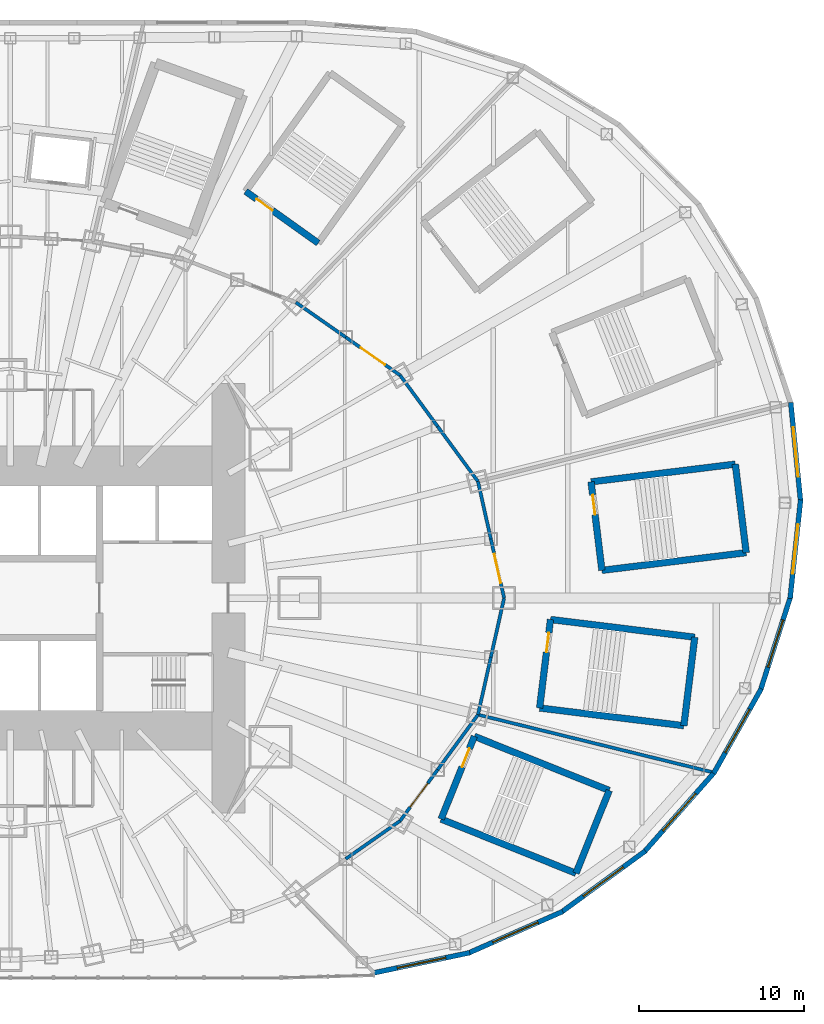
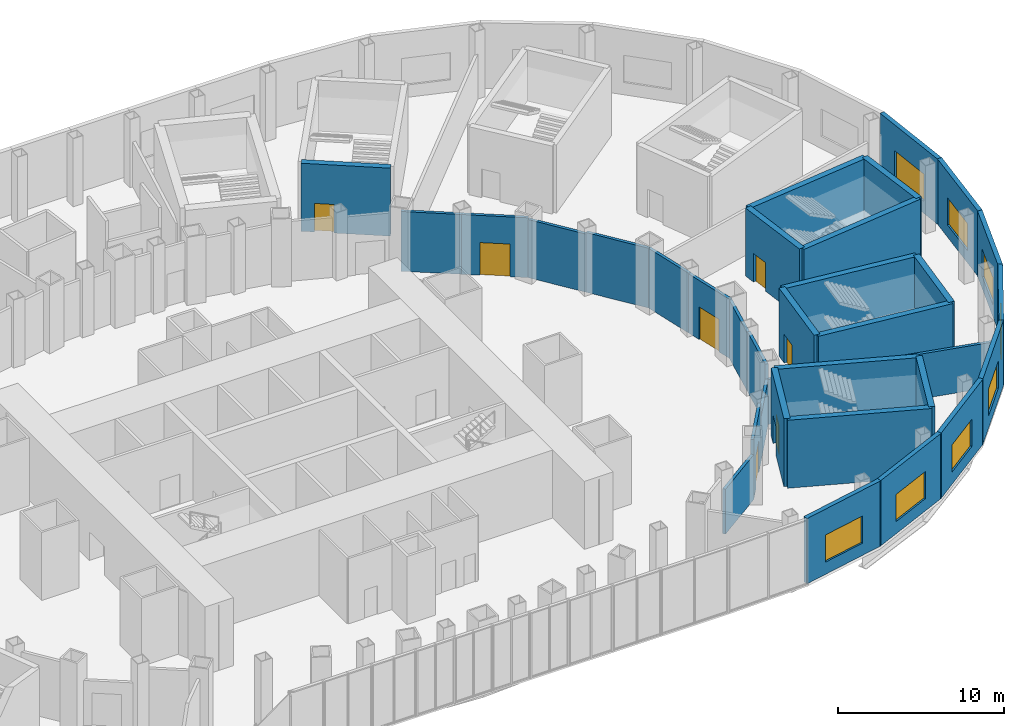
# One storey, part 17 of 73: 33 walls, 8 windows, 7 doors, 15 openings.
"""IFC4 building model written with IfcOpenShell, lengths in metres."""

from ifc_helpers import new_model, si_unit, direction, frame, frame_2d, origin, place, context, subcontext, project, spatial, rectangle, extrude, material, layer, layer_set, type_object, element, fill, save


model = new_model("IFC4")

# Units and contexts
model_context = context("Model", 3, precision=1e-05, world=origin(), true_north=direction((0.0, 1.0)))
body_context = subcontext(model_context, "Body", "Model", "MODEL_VIEW")
ifc_project = project(units=[si_unit("LENGTHUNIT", "METRE"), si_unit("AREAUNIT", "SQUARE_METRE"), si_unit("VOLUMEUNIT", "CUBIC_METRE"), si_unit("PLANEANGLEUNIT", "RADIAN"), si_unit("MASSUNIT", "GRAM", prefix="KILO")], contexts=[model_context])

# Site, building, storey
site_placement = place(None, origin())
site = spatial("IfcSite", under=ifc_project, at=site_placement, CompositionType="ELEMENT")
building_placement = place(site_placement, origin())
building = spatial("IfcBuilding", under=site, at=building_placement, Name="Lantaw Convention Tower", CompositionType="ELEMENT")
storey_placement = place(building_placement, frame((0.0, 0.0, 22.0)))
storey = spatial("IfcBuildingStorey", under=building, at=storey_placement, Name="L03", CompositionType="ELEMENT", Elevation=22.0)

# Wall, opening, window
ifc_material_1 = material(Name="Precast concrete panel, pale aluminium rainscreen", Category="concrete")
ifc_layer_1 = layer(ifc_material_1, 0.300048828125)
ifc_layer_set_1 = layer_set([ifc_layer_1], Name="Podium external wall 300")
wall_type_1 = type_object("IfcWallType", Name="Podium external wall 300", PredefinedType="SOLIDWALL", material=ifc_layer_set_1)
wall_1_placement = place(storey_placement, frame((47.21923828125, -0.02392578125, 0.0), z_axis=(0.0, 0.0, 1.0), x_axis=(0.105835648981, 0.99438363593, 0.0)))
wall_1 = element("IfcWall", 1, at=wall_1_placement, inside=storey, type_object=wall_type_1, Name="Podium facade wall", PredefinedType="SOLIDWALL", context=body_context, shape_type="SweptSolid", body=[
    extrude(rectangle(XDim=6.0068359375, YDim=0.300048828125, at=frame_2d((3.00341796875, 0.0))), origin(), (0.0, 0.0, 1.0), 4.800048828125),
])
opening_1_placement = place(wall_1_placement, frame((1.50341796875, 0.0, 0.89990234375)))
opening_1 = element("IfcOpeningElement", 2, at=opening_1_placement, cuts=wall_1, Name="Opening W3", PredefinedType="OPENING", context=body_context, shape_type="SweptSolid", body=[
    extrude(rectangle(XDim=3.0, YDim=2.0, at=frame_2d((1.5, 1.0))), frame((0.0, 0.159912109375, 0.0), z_axis=(0.0, -1.0, 0.0), x_axis=(1.0, 0.0, 0.0)), (0.0, 0.0, 1.0), 0.320068359375),
])
ifc_material_2 = material(Name="Aluminium frame, clear insulating glass", Category="aluminium")
window_type = type_object("IfcWindowType", Name="Podium window 3000x2000", PartitioningType="DOUBLE_PANEL_VERTICAL", PredefinedType="WINDOW", material=ifc_material_2)
window_1_placement = place(opening_1_placement, origin())
window_1 = element("IfcWindow", 3, at=window_1_placement, inside=storey, type_object=window_type, Name="Podium window", OverallHeight=2.0, OverallWidth=3.0, PartitioningType="SINGLE_PANEL", PredefinedType="WINDOW", context=body_context, shape_type="SweptSolid", body=[
    extrude(rectangle(XDim=3.0, YDim=2.0, at=frame_2d((1.5, 1.0))), frame((0.0, 0.030029296875, 0.0), z_axis=(0.0, -1.0, 0.0), x_axis=(1.0, 0.0, 0.0)), (0.0, 0.0, 1.0), 0.06005859375),
])
fill(opening_1, window_1)

wall_2_placement = place(storey_placement, frame((47.8544921875, 5.8388671875, 0.0), z_axis=(0.0, 0.0, 1.0), x_axis=(-0.099051198898, 0.9950823383, 0.0)))
wall_2 = element("IfcWall", 4, at=wall_2_placement, inside=storey, type_object=wall_type_1, Name="Podium facade wall", PredefinedType="SOLIDWALL", context=body_context, shape_type="SweptSolid", body=[
    extrude(rectangle(XDim=6.036376953125, YDim=0.300048828125, at=frame_2d((3.01806640625, 0.0))), origin(), (0.0, 0.0, 1.0), 4.800048828125),
])
opening_2_placement = place(wall_2_placement, frame((1.51806640625, 0.0, 0.89990234375)))
opening_2 = element("IfcOpeningElement", 5, at=opening_2_placement, cuts=wall_2, Name="Opening W3", PredefinedType="OPENING", context=body_context, shape_type="SweptSolid", body=[
    extrude(rectangle(XDim=3.0, YDim=2.0, at=frame_2d((1.5, 1.0))), frame((0.0, 0.159912109375, 0.0), z_axis=(0.0, -1.0, 0.0), x_axis=(1.0, 0.0, 0.0)), (0.0, 0.0, 1.0), 0.320068359375),
])
window_2_placement = place(opening_2_placement, origin())
window_2 = element("IfcWindow", 6, at=window_2_placement, inside=storey, type_object=window_type, Name="Podium window", OverallHeight=2.0, OverallWidth=3.0, PartitioningType="SINGLE_PANEL", PredefinedType="WINDOW", context=body_context, shape_type="SweptSolid", body=[
    extrude(rectangle(XDim=3.0, YDim=2.0, at=frame_2d((1.5, 1.0))), frame((0.0, 0.030029296875, 0.0), z_axis=(0.0, -1.0, 0.0), x_axis=(1.0, 0.0, 0.0)), (0.0, 0.0, 1.0), 0.06005859375),
])
fill(opening_2, window_2)

wall_3_placement = place(storey_placement, frame((21.985107421875, -22.699951171875, 0.0), z_axis=(0.0, 0.0, 1.0), x_axis=(0.978625319268, 0.205651366364, 0.0)))
wall_3 = element("IfcWall", 7, at=wall_3_placement, inside=storey, type_object=wall_type_1, Name="Podium facade wall", PredefinedType="SOLIDWALL", context=body_context, shape_type="SweptSolid", body=[
    extrude(rectangle(XDim=5.9619140625, YDim=0.300048828125, at=frame_2d((2.98095703125, 0.0))), origin(), (0.0, 0.0, 1.0), 4.800048828125),
])
opening_3_placement = place(wall_3_placement, frame((1.48095703125, 0.0, 0.89990234375)))
opening_3 = element("IfcOpeningElement", 8, at=opening_3_placement, cuts=wall_3, Name="Opening W3", PredefinedType="OPENING", context=body_context, shape_type="SweptSolid", body=[
    extrude(rectangle(XDim=3.0, YDim=2.0, at=frame_2d((1.5, 1.0))), frame((0.0, 0.159912109375, 0.0), z_axis=(0.0, -1.0, 0.0), x_axis=(1.0, 0.0, 0.0)), (0.0, 0.0, 1.0), 0.320068359375),
])
window_3_placement = place(opening_3_placement, origin())
window_3 = element("IfcWindow", 9, at=window_3_placement, inside=storey, type_object=window_type, Name="Podium window", OverallHeight=2.0, OverallWidth=3.0, PartitioningType="SINGLE_PANEL", PredefinedType="WINDOW", context=body_context, shape_type="SweptSolid", body=[
    extrude(rectangle(XDim=3.0, YDim=2.0, at=frame_2d((1.5, 1.0))), frame((0.0, 0.030029296875, 0.0), z_axis=(0.0, -1.0, 0.0), x_axis=(1.0, 0.0, 0.0)), (0.0, 0.0, 1.0), 0.06005859375),
])
fill(opening_3, window_3)

wall_4_placement = place(storey_placement, frame((27.714111328125, -21.5078125, 0.0), z_axis=(0.0, 0.0, 1.0), x_axis=(0.914855209389, 0.403782052416, 0.0)))
wall_4 = element("IfcWall", 10, at=wall_4_placement, inside=storey, type_object=wall_type_1, Name="Podium facade wall", PredefinedType="SOLIDWALL", context=body_context, shape_type="SweptSolid", body=[
    extrude(rectangle(XDim=6.271240234375, YDim=0.300048828125, at=frame_2d((3.1357421875, 0.0))), origin(), (0.0, 0.0, 1.0), 4.800048828125),
])
opening_4_placement = place(wall_4_placement, frame((1.6357421875, 0.0, 0.89990234375)))
opening_4 = element("IfcOpeningElement", 11, at=opening_4_placement, cuts=wall_4, Name="Opening W3", PredefinedType="OPENING", context=body_context, shape_type="SweptSolid", body=[
    extrude(rectangle(XDim=3.0, YDim=2.0, at=frame_2d((1.5, 1.0))), frame((0.0, 0.159912109375, 0.0), z_axis=(0.0, -1.0, 0.0), x_axis=(1.0, 0.0, 0.0)), (0.0, 0.0, 1.0), 0.320068359375),
])
window_4_placement = place(opening_4_placement, origin())
window_4 = element("IfcWindow", 12, at=window_4_placement, inside=storey, type_object=window_type, Name="Podium window", OverallHeight=2.0, OverallWidth=3.0, PartitioningType="SINGLE_PANEL", PredefinedType="WINDOW", context=body_context, shape_type="SweptSolid", body=[
    extrude(rectangle(XDim=3.0, YDim=2.0, at=frame_2d((1.5, 1.0))), frame((0.0, 0.030029296875, 0.0), z_axis=(0.0, -1.0, 0.0), x_axis=(1.0, 0.0, 0.0)), (0.0, 0.0, 1.0), 0.06005859375),
])
fill(opening_4, window_4)

wall_5_placement = place(storey_placement, frame((33.354736328125, -19.03125, 0.0), z_axis=(0.0, 0.0, 1.0), x_axis=(0.807898511933, 0.589321639189, 0.0)))
wall_5 = element("IfcWall", 13, at=wall_5_placement, inside=storey, type_object=wall_type_1, Name="Podium facade wall", PredefinedType="SOLIDWALL", context=body_context, shape_type="SweptSolid", body=[
    extrude(rectangle(XDim=6.30859375, YDim=0.300048828125, at=frame_2d((3.154296875, 0.0))), origin(), (0.0, 0.0, 1.0), 4.800048828125),
])
opening_5_placement = place(wall_5_placement, frame((1.654296875, 0.0, 0.89990234375)))
opening_5 = element("IfcOpeningElement", 14, at=opening_5_placement, cuts=wall_5, Name="Opening W3", PredefinedType="OPENING", context=body_context, shape_type="SweptSolid", body=[
    extrude(rectangle(XDim=3.0, YDim=2.0, at=frame_2d((1.5, 1.0))), frame((0.0, 0.159912109375, 0.0), z_axis=(0.0, -1.0, 0.0), x_axis=(1.0, 0.0, 0.0)), (0.0, 0.0, 1.0), 0.320068359375),
])
window_5_placement = place(opening_5_placement, origin())
window_5 = element("IfcWindow", 15, at=window_5_placement, inside=storey, type_object=window_type, Name="Podium window", OverallHeight=2.0, OverallWidth=3.0, PartitioningType="SINGLE_PANEL", PredefinedType="WINDOW", context=body_context, shape_type="SweptSolid", body=[
    extrude(rectangle(XDim=3.0, YDim=2.0, at=frame_2d((1.5, 1.0))), frame((0.0, 0.030029296875, 0.0), z_axis=(0.0, -1.0, 0.0), x_axis=(1.0, 0.0, 0.0)), (0.0, 0.0, 1.0), 0.06005859375),
])
fill(opening_5, window_5)

wall_6_placement = place(storey_placement, frame((38.368408203125, -15.38916015625, 0.0), z_axis=(0.0, 0.0, 1.0), x_axis=(0.661196672464, 0.75021261008, 0.0)))
wall_6 = element("IfcWall", 16, at=wall_6_placement, inside=storey, type_object=wall_type_1, Name="Podium facade wall", PredefinedType="SOLIDWALL", context=body_context, shape_type="SweptSolid", body=[
    extrude(rectangle(XDim=6.48095703125, YDim=0.300048828125, at=frame_2d((3.240478515625, 0.0))), origin(), (0.0, 0.0, 1.0), 4.800048828125),
])
opening_6_placement = place(wall_6_placement, frame((1.740478515625, 0.0, 0.89990234375)))
opening_6 = element("IfcOpeningElement", 17, at=opening_6_placement, cuts=wall_6, Name="Opening W3", PredefinedType="OPENING", context=body_context, shape_type="SweptSolid", body=[
    extrude(rectangle(XDim=3.0, YDim=2.0, at=frame_2d((1.5, 1.0))), frame((0.0, 0.159912109375, 0.0), z_axis=(0.0, -1.0, 0.0), x_axis=(1.0, 0.0, 0.0)), (0.0, 0.0, 1.0), 0.320068359375),
])
window_6_placement = place(opening_6_placement, origin())
window_6 = element("IfcWindow", 18, at=window_6_placement, inside=storey, type_object=window_type, Name="Podium window", OverallHeight=2.0, OverallWidth=3.0, PartitioningType="SINGLE_PANEL", PredefinedType="WINDOW", context=body_context, shape_type="SweptSolid", body=[
    extrude(rectangle(XDim=3.0, YDim=2.0, at=frame_2d((1.5, 1.0))), frame((0.0, 0.030029296875, 0.0), z_axis=(0.0, -1.0, 0.0), x_axis=(1.0, 0.0, 0.0)), (0.0, 0.0, 1.0), 0.06005859375),
])
fill(opening_6, window_6)

wall_7_placement = place(storey_placement, frame((42.58935546875, -10.61767578125, 0.0), z_axis=(0.0, 0.0, 1.0), x_axis=(0.489563544979, 0.871967622924, 0.0)))
wall_7 = element("IfcWall", 19, at=wall_7_placement, inside=storey, type_object=wall_type_1, Name="Podium facade wall", PredefinedType="SOLIDWALL", context=body_context, shape_type="SweptSolid", body=[
    extrude(rectangle(XDim=5.882568359375, YDim=0.300048828125, at=frame_2d((2.94140625, 0.0))), origin(), (0.0, 0.0, 1.0), 4.800048828125),
])
opening_7_placement = place(wall_7_placement, frame((1.44140625, 0.0, 0.89990234375)))
opening_7 = element("IfcOpeningElement", 20, at=opening_7_placement, cuts=wall_7, Name="Opening W3", PredefinedType="OPENING", context=body_context, shape_type="SweptSolid", body=[
    extrude(rectangle(XDim=3.0, YDim=2.0, at=frame_2d((1.5, 1.0))), frame((0.0, 0.159912109375, 0.0), z_axis=(0.0, -1.0, 0.0), x_axis=(1.0, 0.0, 0.0)), (0.0, 0.0, 1.0), 0.320068359375),
])
window_7_placement = place(opening_7_placement, origin())
window_7 = element("IfcWindow", 21, at=window_7_placement, inside=storey, type_object=window_type, Name="Podium window", OverallHeight=2.0, OverallWidth=3.0, PartitioningType="SINGLE_PANEL", PredefinedType="WINDOW", context=body_context, shape_type="SweptSolid", body=[
    extrude(rectangle(XDim=3.0, YDim=2.0, at=frame_2d((1.5, 1.0))), frame((0.0, 0.030029296875, 0.0), z_axis=(0.0, -1.0, 0.0), x_axis=(1.0, 0.0, 0.0)), (0.0, 0.0, 1.0), 0.06005859375),
])
fill(opening_7, window_7)

wall_8_placement = place(storey_placement, frame((45.42529296875, -5.5888671875, 0.0), z_axis=(0.0, 0.0, 1.0), x_axis=(0.304991367091, 0.95235511549, 0.0)))
wall_8 = element("IfcWall", 22, at=wall_8_placement, inside=storey, type_object=wall_type_1, Name="Podium facade wall", PredefinedType="SOLIDWALL", context=body_context, shape_type="SweptSolid", body=[
    extrude(rectangle(XDim=5.956298828125, YDim=0.300048828125, at=frame_2d((2.97802734375, 0.0))), origin(), (0.0, 0.0, 1.0), 4.800048828125),
])
opening_8_placement = place(wall_8_placement, frame((1.478271484375, 0.0, 0.89990234375)))
opening_8 = element("IfcOpeningElement", 23, at=opening_8_placement, cuts=wall_8, Name="Opening W3", PredefinedType="OPENING", context=body_context, shape_type="SweptSolid", body=[
    extrude(rectangle(XDim=3.0, YDim=2.0, at=frame_2d((1.5, 1.0))), frame((0.0, 0.159912109375, 0.0), z_axis=(0.0, -1.0, 0.0), x_axis=(1.0, 0.0, 0.0)), (0.0, 0.0, 1.0), 0.320068359375),
])
window_8_placement = place(opening_8_placement, origin())
window_8 = element("IfcWindow", 24, at=window_8_placement, inside=storey, type_object=window_type, Name="Podium window", OverallHeight=2.0, OverallWidth=3.0, PartitioningType="SINGLE_PANEL", PredefinedType="WINDOW", context=body_context, shape_type="SweptSolid", body=[
    extrude(rectangle(XDim=3.0, YDim=2.0, at=frame_2d((1.5, 1.0))), frame((0.0, 0.030029296875, 0.0), z_axis=(0.0, -1.0, 0.0), x_axis=(1.0, 0.0, 0.0)), (0.0, 0.0, 1.0), 0.06005859375),
])
fill(opening_8, window_8)

# Wall, opening, door
ifc_material_3 = material(Name="Concrete blockwork", Category="masonry")
ifc_layer_2 = layer(ifc_material_3, 0.199951171875)
ifc_layer_set_2 = layer_set([ifc_layer_2], Name="Podium partition 200")
wall_type_2 = type_object("IfcWallType", Name="Podium partition 200", PredefinedType="SOLIDWALL", material=ifc_layer_set_2)
wall_9_placement = place(storey_placement, frame((29.89990234375, 0.0, 0.0), z_axis=(0.0, 0.0, 1.0), x_axis=(-0.218631550323, 0.975807483679, 0.0)))
wall_9 = element("IfcWall", 25, at=wall_9_placement, inside=storey, type_object=wall_type_2, Name="Podium partition 200", PredefinedType="SOLIDWALL", context=body_context, shape_type="SweptSolid", body=[
    extrude(rectangle(XDim=3.66162109375, YDim=0.199951171875, at=frame_2d((1.830810546875, 0.0))), origin(), (0.0, 0.0, 1.0), 4.350341796875),
])
opening_9_placement = place(wall_9_placement, frame((0.930908203125, 0.0, 0.0)))
opening_9 = element("IfcOpeningElement", 26, at=opening_9_placement, cuts=wall_9, Name="Opening L03.12", PredefinedType="OPENING", context=body_context, shape_type="SweptSolid", body=[
    extrude(rectangle(XDim=1.800048828125, YDim=2.39990234375, at=frame_2d((0.89990234375, 1.199951171875))), frame((0.0, 0.10986328125, 0.0), z_axis=(0.0, -1.0, 0.0), x_axis=(1.0, 0.0, 0.0)), (0.0, 0.0, 1.0), 0.219970703125),
])
ifc_material_4 = material(Name="Timber", Category="wood")
door_type_1 = type_object("IfcDoorType", Name="Hall double door 1800", OperationType="DOUBLE_DOOR_DOUBLE_SWING", PredefinedType="DOOR", material=ifc_material_4)
door_1_placement = place(opening_9_placement, origin())
door_1 = element("IfcDoor", 27, at=door_1_placement, inside=storey, type_object=door_type_1, Name="Meeting room door", OperationType="DOUBLE_DOOR_DOUBLE_SWING", OverallHeight=2.39990234375, OverallWidth=1.800048828125, PredefinedType="DOOR", context=body_context, shape_type="SweptSolid", body=[
    extrude(rectangle(XDim=1.800048828125, YDim=2.39990234375, at=frame_2d((0.89990234375, 1.199951171875))), frame((0.0, 0.02490234375, 0.0), z_axis=(0.0, -1.0, 0.0), x_axis=(1.0, 0.0, 0.0)), (0.0, 0.0, 1.0), 0.050048828125),
])
fill(opening_9, door_1)

# Walls
wall_10_placement = place(storey_placement, frame((29.099365234375, 3.572998046875, 0.0), z_axis=(0.0, 0.0, 1.0), x_axis=(-0.218673326171, 0.97579812278, 0.0)))
element("IfcWall", 28, at=wall_10_placement, inside=storey, type_object=wall_type_2, Name="Podium partition 200", PredefinedType="SOLIDWALL", context=body_context, shape_type="SweptSolid", body=[
    extrude(rectangle(XDim=3.57373046875, YDim=0.199951171875, at=frame_2d((1.786865234375, 0.0))), origin(), (0.0, 0.0, 1.0), 4.3935546875),
])
wall_11_placement = place(storey_placement, frame((28.31787109375, 7.060302734375, 0.0), z_axis=(0.0, 0.0, 1.0), x_axis=(-0.591255937291, 0.806483984105, 0.0)))
element("IfcWall", 29, at=wall_11_placement, inside=storey, type_object=wall_type_2, Name="Podium partition 200", PredefinedType="SOLIDWALL", context=body_context, shape_type="SweptSolid", body=[
    extrude(rectangle(XDim=4.126708984375, YDim=0.199951171875, at=frame_2d((2.0634765625, 0.0))), origin(), (0.0, 0.0, 1.0), 4.396240234375),
])
wall_12_placement = place(storey_placement, frame((25.8779296875, 10.388427734375, 0.0), z_axis=(0.0, 0.0, 1.0), x_axis=(-0.591286566758, 0.806461527893, 0.0)))
element("IfcWall", 30, at=wall_12_placement, inside=storey, type_object=wall_type_2, Name="Podium partition 200", PredefinedType="SOLIDWALL", context=body_context, shape_type="SweptSolid", body=[
    extrude(rectangle(XDim=3.843994140625, YDim=0.199951171875, at=frame_2d((1.921875, 0.0))), origin(), (0.0, 0.0, 1.0), 4.274169921875),
])

# Wall, opening, door
wall_13_placement = place(storey_placement, frame((23.60498046875, 13.488525390625, 0.0), z_axis=(0.0, 0.0, 1.0), x_axis=(-0.819442856133, 0.573160889744, 0.0)))
wall_13 = element("IfcWall", 31, at=wall_13_placement, inside=storey, type_object=wall_type_2, Name="Podium partition 200", PredefinedType="SOLIDWALL", context=body_context, shape_type="SweptSolid", body=[
    extrude(rectangle(XDim=4.022705078125, YDim=0.199951171875, at=frame_2d((2.01123046875, 0.0))), origin(), (0.0, 0.0, 1.0), 4.396240234375),
])
opening_10_placement = place(wall_13_placement, frame((1.111328125, 0.0, 0.0)))
opening_10 = element("IfcOpeningElement", 32, at=opening_10_placement, cuts=wall_13, Name="Opening L03.13", PredefinedType="OPENING", context=body_context, shape_type="SweptSolid", body=[
    extrude(rectangle(XDim=1.800048828125, YDim=2.39990234375, at=frame_2d((0.89990234375, 1.199951171875))), frame((0.0, 0.10986328125, 0.0), z_axis=(0.0, -1.0, 0.0), x_axis=(1.0, 0.0, 0.0)), (0.0, 0.0, 1.0), 0.219970703125),
])
door_2_placement = place(opening_10_placement, origin())
door_2 = element("IfcDoor", 33, at=door_2_placement, inside=storey, type_object=door_type_1, Name="Meeting room door", OperationType="DOUBLE_DOOR_DOUBLE_SWING", OverallHeight=2.39990234375, OverallWidth=1.800048828125, PredefinedType="DOOR", context=body_context, shape_type="SweptSolid", body=[
    extrude(rectangle(XDim=1.800048828125, YDim=2.39990234375, at=frame_2d((0.89990234375, 1.199951171875))), frame((0.0, 0.02490234375, 0.0), z_axis=(0.0, -1.0, 0.0), x_axis=(1.0, 0.0, 0.0)), (0.0, 0.0, 1.0), 0.050048828125),
])
fill(opening_10, door_2)

# Walls
wall_14_placement = place(storey_placement, frame((20.30859375, 15.794189453125, 0.0), z_axis=(0.0, 0.0, 1.0), x_axis=(-0.819409395821, 0.573208724672, 0.0)))
element("IfcWall", 34, at=wall_14_placement, inside=storey, type_object=wall_type_2, Name="Podium partition 200", PredefinedType="SOLIDWALL", context=body_context, shape_type="SweptSolid", body=[
    extrude(rectangle(XDim=3.682861328125, YDim=0.199951171875, at=frame_2d((1.84130859375, 0.0))), origin(), (0.0, 0.0, 1.0), 4.396240234375),
])
wall_15_placement = place(storey_placement, frame((20.308837890625, -15.794189453125, 0.0), z_axis=(0.0, 0.0, 1.0), x_axis=(0.81942291701, 0.57318939547, 0.0)))
element("IfcWall", 35, at=wall_15_placement, inside=storey, type_object=wall_type_2, Name="Podium partition 200", PredefinedType="SOLIDWALL", context=body_context, shape_type="SweptSolid", body=[
    extrude(rectangle(XDim=4.0224609375, YDim=0.199951171875, at=frame_2d((2.01123046875, 0.0))), origin(), (0.0, 0.0, 1.0), 3.300048828125),
])

# Wall, opening, door
wall_16_placement = place(storey_placement, frame((23.60498046875, -13.488525390625, 0.0), z_axis=(0.0, 0.0, 1.0), x_axis=(0.591286566758, 0.806461527893, 0.0)))
wall_16 = element("IfcWall", 36, at=wall_16_placement, inside=storey, type_object=wall_type_2, Name="Podium partition 200", PredefinedType="SOLIDWALL", context=body_context, shape_type="SweptSolid", body=[
    extrude(rectangle(XDim=3.843994140625, YDim=0.199951171875, at=frame_2d((1.921875, 0.0))), origin(), (0.0, 0.0, 1.0), 4.396240234375),
])
opening_11_placement = place(wall_16_placement, frame((1.022216796875, 0.0, 0.0)))
opening_11 = element("IfcOpeningElement", 37, at=opening_11_placement, cuts=wall_16, Name="Opening L03.11", PredefinedType="OPENING", context=body_context, shape_type="SweptSolid", body=[
    extrude(rectangle(XDim=1.800048828125, YDim=2.39990234375, at=frame_2d((0.89990234375, 1.199951171875))), frame((0.0, 0.10986328125, 0.0), z_axis=(0.0, -1.0, 0.0), x_axis=(1.0, 0.0, 0.0)), (0.0, 0.0, 1.0), 0.219970703125),
])
door_3_placement = place(opening_11_placement, origin())
door_3 = element("IfcDoor", 38, at=door_3_placement, inside=storey, type_object=door_type_1, Name="Meeting room door", OperationType="DOUBLE_DOOR_DOUBLE_SWING", OverallHeight=2.39990234375, OverallWidth=1.800048828125, PredefinedType="DOOR", context=body_context, shape_type="SweptSolid", body=[
    extrude(rectangle(XDim=1.800048828125, YDim=2.39990234375, at=frame_2d((0.89990234375, 1.199951171875))), frame((0.0, 0.02490234375, 0.0), z_axis=(0.0, -1.0, 0.0), x_axis=(1.0, 0.0, 0.0)), (0.0, 0.0, 1.0), 0.050048828125),
])
fill(opening_11, door_3)

# Walls
wall_17_placement = place(storey_placement, frame((25.8779296875, -10.388427734375, 0.0), z_axis=(0.0, 0.0, 1.0), x_axis=(0.591255937291, 0.806483984105, 0.0)))
element("IfcWall", 39, at=wall_17_placement, inside=storey, type_object=wall_type_2, Name="Podium partition 200", PredefinedType="SOLIDWALL", context=body_context, shape_type="SweptSolid", body=[
    extrude(rectangle(XDim=4.126708984375, YDim=0.199951171875, at=frame_2d((2.0634765625, 0.0))), origin(), (0.0, 0.0, 1.0), 3.300048828125),
])
wall_18_placement = place(storey_placement, frame((28.31787109375, -7.060302734375, 0.0), z_axis=(0.0, 0.0, 1.0), x_axis=(0.218673326171, 0.97579812278, 0.0)))
element("IfcWall", 40, at=wall_18_placement, inside=storey, type_object=wall_type_2, Name="Podium partition 200", PredefinedType="SOLIDWALL", context=body_context, shape_type="SweptSolid", body=[
    extrude(rectangle(XDim=3.57373046875, YDim=0.199951171875, at=frame_2d((1.786865234375, 0.0))), origin(), (0.0, 0.0, 1.0), 4.396240234375),
])
wall_19_placement = place(storey_placement, frame((29.099365234375, -3.572998046875, 0.0), z_axis=(0.0, 0.0, 1.0), x_axis=(0.218631550323, 0.975807483679, 0.0)))
element("IfcWall", 41, at=wall_19_placement, inside=storey, type_object=wall_type_2, Name="Podium partition 200", PredefinedType="SOLIDWALL", context=body_context, shape_type="SweptSolid", body=[
    extrude(rectangle(XDim=3.66162109375, YDim=0.199951171875, at=frame_2d((1.830810546875, 0.0))), origin(), (0.0, 0.0, 1.0), 4.271728515625),
])
wall_20_placement = place(storey_placement, frame((28.31787109375, -7.060302734375, 0.0), z_axis=(0.0, 0.0, 1.0), x_axis=(0.971190644534, -0.238303864783, 0.0)))
element("IfcWall", 42, at=wall_20_placement, inside=storey, type_object=wall_type_2, Name="Podium partition 200", PredefinedType="SOLIDWALL", context=body_context, shape_type="SweptSolid", body=[
    extrude(rectangle(XDim=14.722900390625, YDim=0.199951171875, at=frame_2d((7.361328125, 0.0))), origin(), (0.0, 0.0, 1.0), 3.300048828125),
])
ifc_material_5 = material(Name="Concrete C40/50, stair core", Category="concrete")
ifc_layer_3 = layer(ifc_material_5, 0.39990234375)
ifc_layer_set_3 = layer_set([ifc_layer_3], Name="Stair enclosure wall 400 EI 120")
wall_type_3 = type_object("IfcWallType", Name="Stair enclosure wall 400 EI 120", PredefinedType="SHEAR", material=ifc_layer_set_3)
wall_21_placement = place(storey_placement, frame((35.82275390625, 1.67822265625, 0.0), z_axis=(0.0, 0.0, 1.0), x_axis=(0.992545280606, 0.121876437212, 0.0)))
element("IfcWall", 43, at=wall_21_placement, inside=storey, type_object=wall_type_3, Name="Stair enclosure wall", PredefinedType="SHEAR", context=body_context, shape_type="SweptSolid", body=[
    extrude(rectangle(XDim=8.800048828125, YDim=0.39990234375, at=frame_2d((4.39990234375, 0.0))), origin(), (0.0, 0.0, 1.0), 5.0),
])
wall_22_placement = place(storey_placement, frame((44.55712890625, 2.750732421875, 0.0), z_axis=(0.0, 0.0, 1.0), x_axis=(-0.12184754212, 0.99254882826, 0.0)))
element("IfcWall", 44, at=wall_22_placement, inside=storey, type_object=wall_type_3, Name="Stair enclosure wall", PredefinedType="SHEAR", context=body_context, shape_type="SweptSolid", body=[
    extrude(rectangle(XDim=5.39990234375, YDim=0.39990234375, at=frame_2d((2.699951171875, 0.0))), origin(), (0.0, 0.0, 1.0), 5.0),
])
wall_23_placement = place(storey_placement, frame((43.899169921875, 8.1103515625, 0.0), z_axis=(0.0, 0.0, 1.0), x_axis=(-0.992545280606, -0.121876437212, 0.0)))
element("IfcWall", 45, at=wall_23_placement, inside=storey, type_object=wall_type_3, Name="Stair enclosure wall", PredefinedType="SHEAR", context=body_context, shape_type="SweptSolid", body=[
    extrude(rectangle(XDim=8.800048828125, YDim=0.39990234375, at=frame_2d((4.39990234375, 0.0))), origin(), (0.0, 0.0, 1.0), 5.0),
])

# Wall, opening, door
wall_24_placement = place(storey_placement, frame((35.164794921875, 7.037841796875, 0.0), z_axis=(0.0, 0.0, 1.0), x_axis=(0.12184754212, -0.99254882826, 0.0)))
wall_24 = element("IfcWall", 46, at=wall_24_placement, inside=storey, type_object=wall_type_3, Name="Stair enclosure wall", PredefinedType="SHEAR", context=body_context, shape_type="SweptSolid", body=[
    extrude(rectangle(XDim=5.39990234375, YDim=0.39990234375, at=frame_2d((2.699951171875, 0.0))), origin(), (0.0, 0.0, 1.0), 5.0),
])
opening_12_placement = place(wall_24_placement, frame((0.800048828125, 0.0, 0.0)))
opening_12 = element("IfcOpeningElement", 47, at=opening_12_placement, cuts=wall_24, Name="Opening L03.P1", PredefinedType="OPENING", context=body_context, shape_type="SweptSolid", body=[
    extrude(rectangle(XDim=1.199951171875, YDim=2.10009765625, at=frame_2d((0.60009765625, 1.050048828125))), frame((0.0, 0.2099609375, 0.0), z_axis=(0.0, -1.0, 0.0), x_axis=(1.0, 0.0, 0.0)), (0.0, 0.0, 1.0), 0.419921875),
])
ifc_material_6 = material(Name="Steel, fire rated", Category="steel")
door_type_2 = type_object("IfcDoorType", Name="Stair door FD90", OperationType="SINGLE_SWING_RIGHT", PredefinedType="DOOR", material=ifc_material_6)
door_4_placement = place(opening_12_placement, origin())
door_4 = element("IfcDoor", 48, at=door_4_placement, inside=storey, type_object=door_type_2, Name="Exit stair door", OperationType="SINGLE_SWING_RIGHT", OverallHeight=2.10009765625, OverallWidth=1.199951171875, PredefinedType="DOOR", context=body_context, shape_type="SweptSolid", body=[
    extrude(rectangle(XDim=1.199951171875, YDim=2.10009765625, at=frame_2d((0.60009765625, 1.050048828125))), frame((0.0, 0.02490234375, 0.0), z_axis=(0.0, -1.0, 0.0), x_axis=(1.0, 0.0, 0.0)), (0.0, 0.0, 1.0), 0.050048828125),
])
fill(opening_12, door_4)

wall_25_placement = place(storey_placement, frame((14.2509765625, 24.628662109375, 0.0), z_axis=(0.0, 0.0, 1.0), x_axis=(0.814121252423, -0.580694916762, 0.0)))
wall_25 = element("IfcWall", 49, at=wall_25_placement, inside=storey, type_object=wall_type_3, Name="Stair enclosure wall", PredefinedType="SHEAR", context=body_context, shape_type="SweptSolid", body=[
    extrude(rectangle(XDim=5.39990234375, YDim=0.39990234375, at=frame_2d((2.699951171875, 0.0))), origin(), (0.0, 0.0, 1.0), 5.0),
])
opening_13_placement = place(wall_25_placement, frame((0.800048828125, 0.0, 0.0)))
opening_13 = element("IfcOpeningElement", 50, at=opening_13_placement, cuts=wall_25, Name="Opening L03.P4", PredefinedType="OPENING", context=body_context, shape_type="SweptSolid", body=[
    extrude(rectangle(XDim=1.199951171875, YDim=2.10009765625, at=frame_2d((0.60009765625, 1.050048828125))), frame((0.0, 0.2099609375, 0.0), z_axis=(0.0, -1.0, 0.0), x_axis=(1.0, 0.0, 0.0)), (0.0, 0.0, 1.0), 0.419921875),
])
door_5_placement = place(opening_13_placement, origin())
door_5 = element("IfcDoor", 51, at=door_5_placement, inside=storey, type_object=door_type_2, Name="Exit stair door", OperationType="SINGLE_SWING_RIGHT", OverallHeight=2.10009765625, OverallWidth=1.199951171875, PredefinedType="DOOR", context=body_context, shape_type="SweptSolid", body=[
    extrude(rectangle(XDim=1.199951171875, YDim=2.10009765625, at=frame_2d((0.60009765625, 1.050048828125))), frame((0.0, 0.02490234375, 0.0), z_axis=(0.0, -1.0, 0.0), x_axis=(1.0, 0.0, 0.0)), (0.0, 0.0, 1.0), 0.050048828125),
])
fill(opening_13, door_5)

# Walls
wall_26_placement = place(storey_placement, frame((26.0869140625, -13.3818359375, 0.0), z_axis=(0.0, 0.0, 1.0), x_axis=(0.92801678004, -0.372538395288, 0.0)))
element("IfcWall", 52, at=wall_26_placement, inside=storey, type_object=wall_type_3, Name="Stair enclosure wall", PredefinedType="SHEAR", context=body_context, shape_type="SweptSolid", body=[
    extrude(rectangle(XDim=8.800048828125, YDim=0.39990234375, at=frame_2d((4.39990234375, 0.0))), origin(), (0.0, 0.0, 1.0), 5.0),
])
wall_27_placement = place(storey_placement, frame((34.25341796875, -16.66015625, 0.0), z_axis=(0.0, 0.0, 1.0), x_axis=(0.372544066459, 0.928014503414, 0.0)))
element("IfcWall", 53, at=wall_27_placement, inside=storey, type_object=wall_type_3, Name="Stair enclosure wall", PredefinedType="SHEAR", context=body_context, shape_type="SweptSolid", body=[
    extrude(rectangle(XDim=5.39990234375, YDim=0.39990234375, at=frame_2d((2.699951171875, 0.0))), origin(), (0.0, 0.0, 1.0), 5.0),
])
wall_28_placement = place(storey_placement, frame((36.26513671875, -11.64892578125, 0.0), z_axis=(0.0, 0.0, 1.0), x_axis=(-0.928007188331, 0.372562287955, 0.0)))
element("IfcWall", 54, at=wall_28_placement, inside=storey, type_object=wall_type_3, Name="Stair enclosure wall", PredefinedType="SHEAR", context=body_context, shape_type="SweptSolid", body=[
    extrude(rectangle(XDim=8.800048828125, YDim=0.39990234375, at=frame_2d((4.39990234375, 0.0))), origin(), (0.0, 0.0, 1.0), 5.0),
])

# Wall, opening, door
wall_29_placement = place(storey_placement, frame((28.0986328125, -8.370361328125, 0.0), z_axis=(0.0, 0.0, 1.0), x_axis=(-0.372528436202, -0.928020777904, 0.0)))
wall_29 = element("IfcWall", 55, at=wall_29_placement, inside=storey, type_object=wall_type_3, Name="Stair enclosure wall", PredefinedType="SHEAR", context=body_context, shape_type="SweptSolid", body=[
    extrude(rectangle(XDim=5.400146484375, YDim=0.39990234375, at=frame_2d((2.7001953125, 0.0))), origin(), (0.0, 0.0, 1.0), 5.0),
])
opening_14_placement = place(wall_29_placement, frame((0.800048828125, 0.0, 0.0)))
opening_14 = element("IfcOpeningElement", 56, at=opening_14_placement, cuts=wall_29, Name="Opening L03.P12", PredefinedType="OPENING", context=body_context, shape_type="SweptSolid", body=[
    extrude(rectangle(XDim=1.199951171875, YDim=2.10009765625, at=frame_2d((0.60009765625, 1.050048828125))), frame((0.0, 0.2099609375, 0.0), z_axis=(0.0, -1.0, 0.0), x_axis=(1.0, 0.0, 0.0)), (0.0, 0.0, 1.0), 0.419921875),
])
door_6_placement = place(opening_14_placement, origin())
door_6 = element("IfcDoor", 57, at=door_6_placement, inside=storey, type_object=door_type_2, Name="Exit stair door", OperationType="SINGLE_SWING_RIGHT", OverallHeight=2.10009765625, OverallWidth=1.199951171875, PredefinedType="DOOR", context=body_context, shape_type="SweptSolid", body=[
    extrude(rectangle(XDim=1.199951171875, YDim=2.10009765625, at=frame_2d((0.60009765625, 1.050048828125))), frame((0.0, 0.02490234375, 0.0), z_axis=(0.0, -1.0, 0.0), x_axis=(1.0, 0.0, 0.0)), (0.0, 0.0, 1.0), 0.050048828125),
])
fill(opening_14, door_6)

# Walls
wall_30_placement = place(storey_placement, frame((32.050537109375, -6.655517578125, 0.0), z_axis=(0.0, 0.0, 1.0), x_axis=(0.992545280606, -0.121876437212, 0.0)))
element("IfcWall", 58, at=wall_30_placement, inside=storey, type_object=wall_type_3, Name="Stair enclosure wall", PredefinedType="SHEAR", context=body_context, shape_type="SweptSolid", body=[
    extrude(rectangle(XDim=8.800048828125, YDim=0.39990234375, at=frame_2d((4.39990234375, 0.0))), origin(), (0.0, 0.0, 1.0), 5.0),
])
wall_31_placement = place(storey_placement, frame((40.784912109375, -7.72802734375, 0.0), z_axis=(0.0, 0.0, 1.0), x_axis=(0.121892082937, 0.992543359314, 0.0)))
element("IfcWall", 59, at=wall_31_placement, inside=storey, type_object=wall_type_3, Name="Stair enclosure wall", PredefinedType="SHEAR", context=body_context, shape_type="SweptSolid", body=[
    extrude(rectangle(XDim=5.39990234375, YDim=0.39990234375, at=frame_2d((2.699951171875, 0.0))), origin(), (0.0, 0.0, 1.0), 5.0),
])
wall_32_placement = place(storey_placement, frame((41.443115234375, -2.368408203125, 0.0), z_axis=(0.0, 0.0, 1.0), x_axis=(-0.992545692684, 0.121873081252, 0.0)))
element("IfcWall", 60, at=wall_32_placement, inside=storey, type_object=wall_type_3, Name="Stair enclosure wall", PredefinedType="SHEAR", context=body_context, shape_type="SweptSolid", body=[
    extrude(rectangle(XDim=8.80029296875, YDim=0.39990234375, at=frame_2d((4.400146484375, 0.0))), origin(), (0.0, 0.0, 1.0), 5.0),
])

# Wall, opening, door
wall_33_placement = place(storey_placement, frame((32.70849609375, -1.2958984375, 0.0), z_axis=(0.0, 0.0, 1.0), x_axis=(-0.12184754212, -0.99254882826, 0.0)))
wall_33 = element("IfcWall", 61, at=wall_33_placement, inside=storey, type_object=wall_type_3, Name="Stair enclosure wall", PredefinedType="SHEAR", context=body_context, shape_type="SweptSolid", body=[
    extrude(rectangle(XDim=5.39990234375, YDim=0.39990234375, at=frame_2d((2.699951171875, 0.0))), origin(), (0.0, 0.0, 1.0), 5.0),
])
opening_15_placement = place(wall_33_placement, frame((0.800048828125, 0.0, 0.0)))
opening_15 = element("IfcOpeningElement", 62, at=opening_15_placement, cuts=wall_33, Name="Opening L03.P13", PredefinedType="OPENING", context=body_context, shape_type="SweptSolid", body=[
    extrude(rectangle(XDim=1.199951171875, YDim=2.10009765625, at=frame_2d((0.60009765625, 1.050048828125))), frame((0.0, 0.2099609375, 0.0), z_axis=(0.0, -1.0, 0.0), x_axis=(1.0, 0.0, 0.0)), (0.0, 0.0, 1.0), 0.419921875),
])
door_7_placement = place(opening_15_placement, origin())
door_7 = element("IfcDoor", 63, at=door_7_placement, inside=storey, type_object=door_type_2, Name="Exit stair door", OperationType="SINGLE_SWING_RIGHT", OverallHeight=2.10009765625, OverallWidth=1.199951171875, PredefinedType="DOOR", context=body_context, shape_type="SweptSolid", body=[
    extrude(rectangle(XDim=1.199951171875, YDim=2.10009765625, at=frame_2d((0.60009765625, 1.050048828125))), frame((0.0, 0.02490234375, 0.0), z_axis=(0.0, -1.0, 0.0), x_axis=(1.0, 0.0, 0.0)), (0.0, 0.0, 1.0), 0.050048828125),
])
fill(opening_15, door_7)

save(model, "model.ifc")
